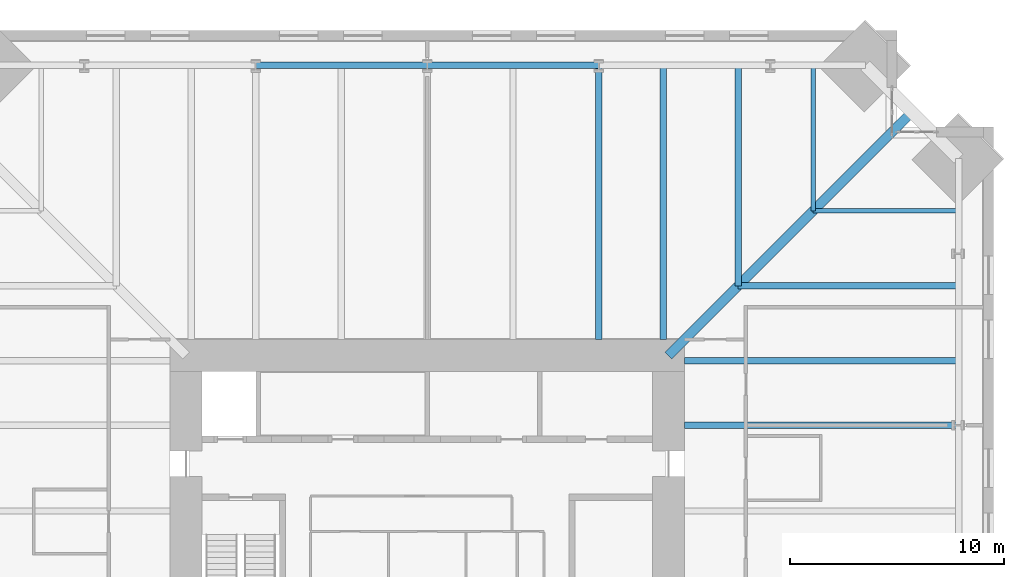
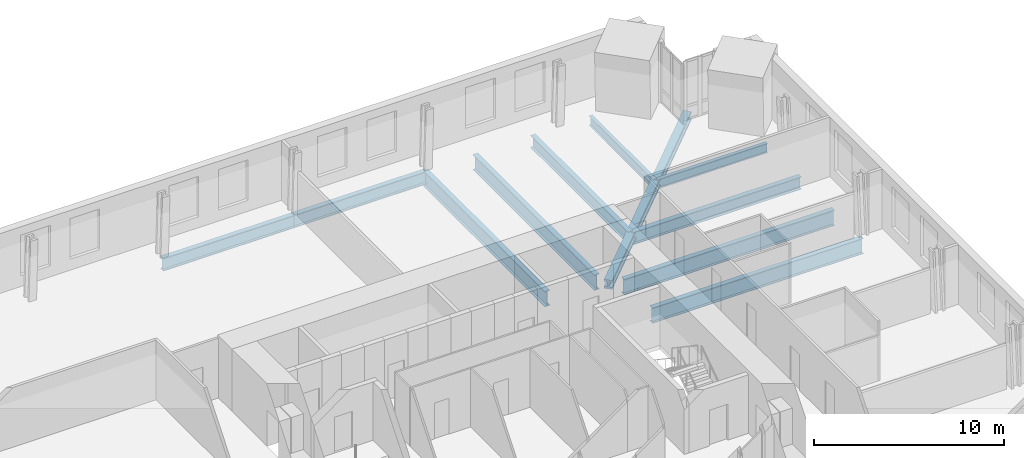
# One storey, part 9 of 18: 11 beams.
"""IFC4 building model written with IfcOpenShell, lengths in metres."""

import ifcopenshell
import ifcopenshell.guid

model = None  # the IFC model being written
_history = None  # IfcOwnerHistory: only IFC2X3 demands one
_inside = {}  # id of a spatial element -> (the spatial element, [elements in it])
_under = {}  # id of a project, library or spatial element -> (it, [spatial elements below it])
_declared = {}  # id of a project -> (the project, [libraries it declares])
_typed = {}  # id of a type object -> (the type object, [elements of that type])
_made_of = {}  # id of a material, layer set ... -> (it, [elements and type objects made of it])


def new_model(schema):
    """Start an empty IFC model of exactly this schema.

    Asked for "IFC4X3", IfcOpenShell would pick the latest addendum, in which some entities
    have other attributes; the version numbers below select the first issue.
    IFC2X3 requires an IfcOwnerHistory on every rooted entity: one is made here for all.
    """
    global model, _history
    if schema == "IFC4X3":
        model = ifcopenshell.file(schema_version=(4, 3, 0, 0))
    else:
        model = ifcopenshell.file(schema=schema)
    _inside.clear()
    _under.clear()
    _declared.clear()
    _typed.clear()
    _made_of.clear()
    _history = None
    if model.schema == "IFC2X3":
        org = make("IfcOrganization", Name="unknown")
        user = make(
            "IfcPersonAndOrganization",
            ThePerson=make("IfcPerson", FamilyName="unknown"),
            TheOrganization=org,
        )
        app = make(
            "IfcApplication",
            ApplicationDeveloper=org,
            Version="unknown",
            ApplicationFullName="unknown",
            ApplicationIdentifier="unknown",
        )
        _history = make(
            "IfcOwnerHistory",
            OwningUser=user,
            OwningApplication=app,
            ChangeAction="ADDED",
            CreationDate=0,
        )
    return model


def make(cls, **values):
    """One entity of the class cls with the attributes given. An attribute that is None is left unset."""
    return model.create_entity(
        cls, **{name: value for name, value in values.items() if value is not None}
    )


def rooted(cls, **values):
    """An entity with a GlobalId (a new one), such as an element, a storey or a relation."""
    return make(cls, GlobalId=ifcopenshell.guid.new(), OwnerHistory=_history, **values)


def si_unit(unit_type, name, prefix=None):
    """IfcSIUnit, for example si_unit("LENGTHUNIT", "METRE", prefix="MILLI")."""
    return make("IfcSIUnit", UnitType=unit_type, Prefix=prefix, Name=name)


def assignment(units):
    """IfcUnitAssignment: the units of a project."""
    return None if units is None else make("IfcUnitAssignment", Units=units)


def point(xyz):
    """IfcCartesianPoint."""
    return None if xyz is None else make("IfcCartesianPoint", Coordinates=xyz)


def direction(xyz):
    """IfcDirection."""
    return None if xyz is None else make("IfcDirection", DirectionRatios=xyz)


def frame(location, z_axis=None, x_axis=None):
    """IfcAxis2Placement3D, a coordinate frame: its origin and axes. An axis left out is left unset."""
    return make(
        "IfcAxis2Placement3D",
        Location=point(location),
        Axis=direction(z_axis),
        RefDirection=direction(x_axis),
    )


def frame_2d(location, x_axis=None):
    """IfcAxis2Placement2D, a coordinate frame in the plane: its origin and x axis."""
    return make(
        "IfcAxis2Placement2D", Location=point(location), RefDirection=direction(x_axis)
    )


def origin():
    """The frame at (0, 0, 0) with its axes left unset."""
    return frame((0.0, 0.0, 0.0))


def origin_2d():
    """The frame at (0, 0) in the plane with its x axis left unset."""
    return frame_2d((0.0, 0.0))


def place(relative_to, where):
    """IfcLocalPlacement: puts the frame where relative to a parent placement (None: the world)."""
    return make(
        "IfcLocalPlacement", PlacementRelTo=relative_to, RelativePlacement=where
    )


def context(
    kind, dimensions, precision=None, world=None, true_north=None, identifier=None
):
    """IfcGeometricRepresentationContext, for example the 3D "Model" context."""
    return make(
        "IfcGeometricRepresentationContext",
        ContextIdentifier=identifier,
        ContextType=kind,
        CoordinateSpaceDimension=dimensions,
        Precision=precision,
        WorldCoordinateSystem=world,
        TrueNorth=true_north,
    )


def subcontext(parent, identifier, kind, view, scale=None):
    """IfcGeometricRepresentationSubContext, for example "Body" below "Model"."""
    return make(
        "IfcGeometricRepresentationSubContext",
        ContextIdentifier=identifier,
        ContextType=kind,
        ParentContext=parent,
        TargetScale=scale,
        TargetView=view,
    )


def project(units=None, contexts=None):
    """IfcProject with its units and contexts."""
    return rooted(
        "IfcProject",
        Name="project",
        RepresentationContexts=contexts,
        UnitsInContext=assignment(units),
    )


def spatial(cls, under=None, at=None, **own):
    """A site, building, storey or space (cls), placed at a placement, below another one or the project."""
    s = rooted(cls, ObjectPlacement=at, **own)
    if under is not None:
        _under.setdefault(under.id(), (under, []))[1].append(s)
    return s


def profile(cls, at=None, kind="AREA", **sizes):
    """A parametric profile (cls). Its sizes go by their IFC names, for example OverallWidth=200.0."""
    return make(cls, ProfileType=kind, Position=at, **sizes)


def i_section(**sizes):
    """IfcIShapeProfileDef."""
    return profile("IfcIShapeProfileDef", **sizes)


def extrude(swept, where, along, depth):
    """IfcExtrudedAreaSolid: the profile swept, set in the frame where, extruded along a direction by depth."""
    return make(
        "IfcExtrudedAreaSolid",
        SweptArea=swept,
        Position=where,
        ExtrudedDirection=direction(along),
        Depth=depth,
    )


def shape(context_of_items, identifier, shape_type, items):
    """IfcShapeRepresentation: the items that make up one representation, for example the "Body"."""
    return make(
        "IfcShapeRepresentation",
        ContextOfItems=context_of_items,
        RepresentationIdentifier=identifier,
        RepresentationType=shape_type,
        Items=items,
    )


def material(Name=None, Category=None):
    """IfcMaterial."""
    return make("IfcMaterial", Name=Name, Category=Category)


def material_profile(
    of_material, cross_section, Name=None, Category=None, Priority=None
):
    """IfcMaterialProfile: a cross section and its material."""
    return make(
        "IfcMaterialProfile",
        Name=Name,
        Material=of_material,
        Profile=cross_section,
        Priority=Priority,
        Category=Category,
    )


def profile_set(profiles, Name=None, composite=None):
    """IfcMaterialProfileSet."""
    return make(
        "IfcMaterialProfileSet",
        Name=Name,
        MaterialProfiles=profiles,
        CompositeProfile=composite,
    )


def made_of(thing, what):
    """Note that an element or type object is made of a material, layer set ...; save() writes the relation."""
    if what is not None:
        _made_of.setdefault(what.id(), (what, []))[1].append(thing)
    return thing


def type_object(cls, material=None, **own):
    """A type object (cls), such as IfcWallType, which elements share."""
    return made_of(rooted(cls, **own), material)


def element(
    cls,
    number,
    at=None,
    inside=None,
    cuts=None,
    type_object=None,
    material=None,
    context=None,
    identifier="Body",
    shape_type=None,
    held_by="IfcProductDefinitionShape",
    body=None,
    shapes=None,
    **own,
):
    """One element of the class cls, such as IfcWall. Its Tag is "e" and its number.

    at: its placement. inside: the storey or other place that contains it. cuts: it is an
    opening in that element (IfcRelVoidsElement). A single representation is given by context,
    identifier, shape_type and body (its items); several are given by shapes. held_by: the class
    of the entity that holds the representations. save() writes the other relations.
    """
    e = rooted(cls, Tag="e%d" % number, ObjectPlacement=at, **own)
    if body is not None:
        shapes = [shape(context, identifier, shape_type, body)]
    if shapes is not None:
        e.Representation = make(held_by, Representations=shapes)
    if inside is not None:
        _inside.setdefault(inside.id(), (inside, []))[1].append(e)
    if cuts is not None:
        rooted(
            "IfcRelVoidsElement", RelatingBuildingElement=cuts, RelatedOpeningElement=e
        )
    if type_object is not None:
        _typed.setdefault(type_object.id(), (type_object, []))[1].append(e)
    return made_of(e, material)


def aggregate(whole, parts):
    """IfcRelAggregates: a whole, such as a stair, and the parts it consists of."""
    return rooted("IfcRelAggregates", RelatingObject=whole, RelatedObjects=parts)


def save(model, path):
    """Write the relations noted so far, then the file.

    IfcRelAggregates (storeys below a building ...), IfcRelContainedInSpatialStructure (elements
    in a storey), IfcRelDefinesByType, IfcRelAssociatesMaterial and IfcRelDeclares: one each for
    every whole, place, type object, material and project.
    """
    for whole, parts in _under.values():
        aggregate(whole, parts)
    for where, things in _inside.values():
        rooted(
            "IfcRelContainedInSpatialStructure",
            RelatedElements=things,
            RelatingStructure=where,
        )
    for kind, things in _typed.values():
        rooted("IfcRelDefinesByType", RelatedObjects=things, RelatingType=kind)
    for what, things in _made_of.values():
        rooted("IfcRelAssociatesMaterial", RelatedObjects=things, RelatingMaterial=what)
    for by, libraries in _declared.values():
        rooted("IfcRelDeclares", RelatingContext=by, RelatedDefinitions=libraries)
    model.write(path)


model = new_model("IFC4")

# Units and contexts
model_context = context("Model", 3, precision=1e-05, world=origin(), true_north=direction((0.0, 1.0)))
body_context = subcontext(model_context, "Body", "Model", "MODEL_VIEW")
ifc_project = project(units=[si_unit("LENGTHUNIT", "METRE"), si_unit("AREAUNIT", "SQUARE_METRE"), si_unit("VOLUMEUNIT", "CUBIC_METRE"), si_unit("PLANEANGLEUNIT", "RADIAN"), si_unit("MASSUNIT", "GRAM", prefix="KILO")], contexts=[model_context])

# Site, building, storey
site_placement = place(None, origin())
site = spatial("IfcSite", under=ifc_project, at=site_placement, CompositionType="ELEMENT")
building_placement = place(site_placement, origin())
building = spatial("IfcBuilding", under=site, at=building_placement, Name="Peilmerk Tower", CompositionType="ELEMENT")
storey_placement = place(building_placement, frame((0.0, 0.0, 151.800048828125)))
storey = spatial("IfcBuildingStorey", under=building, at=storey_placement, Name="L31", CompositionType="ELEMENT", Elevation=151.800048828125)

# Beams
ifc_material_1 = material(Name="Steel S355", Category="steel")
ifc_material_profile_1 = material_profile(ifc_material_1, i_section(OverallWidth=0.219970703125, OverallDepth=0.60009765625, WebThickness=0.011962890625, FlangeThickness=0.01904296875, at=origin_2d()), Name="IPE 600")
ifc_profile_set_1 = profile_set([ifc_material_profile_1], Name="Steel S355")
beam_type_1 = type_object("IfcBeamType", Name="B10 IPE 600 floor beam", PredefinedType="BEAM", material=ifc_profile_set_1)
for number, where, z_axis, x_axis, name in (
    (1, (18.0, 18.0, -0.469970703125), (0.0, 1.0, 0.0), (-1.0, 0.0, 0.0), "Floor beam L31"),
    (2, (18.0, 18.0, -0.469970703125), (1.0, 0.0, 0.0), (0.0, 1.0, 0.0), "Floor beam L31"),
):
    element("IfcBeam", number, at=place(storey_placement, frame(where, z_axis=z_axis, x_axis=x_axis)), inside=storey, type_object=beam_type_1, Name=name, PredefinedType="BEAM", context=body_context, shape_type="SweptSolid", body=[
        extrude(i_section(OverallWidth=0.219970703125, OverallDepth=0.60009765625, WebThickness=0.011962890625, FlangeThickness=0.01904296875, at=origin_2d()), origin(), (0.0, 0.0, 1.0), 6.77587890625),
    ])
ifc_material_profile_2 = material_profile(ifc_material_1, i_section(OverallWidth=0.300048828125, OverallDepth=0.989990234375, WebThickness=0.0166015625, FlangeThickness=0.031005859375, at=origin_2d()), Name="HEA 1000")
ifc_profile_set_2 = profile_set([ifc_material_profile_2], Name="Steel S355")
beam_type_2 = type_object("IfcBeamType", Name="B14 HEA 1000 floor girder", PredefinedType="BEAM", material=ifc_profile_set_2)
for number, where, z_axis, x_axis, name in (
    (3, (11.0, 12.0, -0.6650390625), (0.0, 1.0, 0.0), (-1.0, 0.0, 0.0), "Floor beam L31"),
    (4, (8.0, 12.0, -0.6650390625), (0.0, 1.0, 0.0), (-1.0, 0.0, 0.0), "Floor beam L31"),
    (5, (12.0, 8.0, -0.6650390625), (1.0, 0.0, 0.0), (0.0, 1.0, 0.0), "Floor beam L31"),
    (6, (12.0, 11.0, -0.6650390625), (1.0, 0.0, 0.0), (0.0, 1.0, 0.0), "Floor beam L31"),
):
    element("IfcBeam", number, at=place(storey_placement, frame(where, z_axis=z_axis, x_axis=x_axis)), inside=storey, type_object=beam_type_2, Name=name, PredefinedType="BEAM", context=body_context, shape_type="SweptSolid", body=[
        extrude(i_section(OverallWidth=0.300048828125, OverallDepth=0.989990234375, WebThickness=0.0166015625, FlangeThickness=0.031005859375, at=origin_2d()), origin(), (0.0, 0.0, 1.0), 12.77587890625),
    ])
ifc_material_profile_3 = material_profile(ifc_material_1, i_section(OverallWidth=0.302978515625, OverallDepth=0.81396484375, WebThickness=0.02099609375, FlangeThickness=0.0400390625, at=origin_2d()), Name="HEM 800")
ifc_profile_set_3 = profile_set([ifc_material_profile_3], Name="Steel S355")
beam_type_3 = type_object("IfcBeamType", Name="B15 HEM 800 edge beam", PredefinedType="SPANDREL", material=ifc_profile_set_3)
for number, where, z_axis, x_axis, name in (
    (7, (8.0, 24.77587890625, -0.5771484375), (-1.0, 0.0, 0.0), (0.0, -1.0, 0.0), "Edge beam L31"),
    (8, (0.0, 24.77587890625, -0.5771484375), (-1.0, 0.0, 0.0), (0.0, -1.0, 0.0), "Edge beam L31"),
):
    element("IfcBeam", number, at=place(storey_placement, frame(where, z_axis=z_axis, x_axis=x_axis)), inside=storey, type_object=beam_type_3, Name=name, PredefinedType="SPANDREL", context=body_context, shape_type="SweptSolid", body=[
        extrude(i_section(OverallWidth=0.302978515625, OverallDepth=0.81396484375, WebThickness=0.02099609375, FlangeThickness=0.0400390625, at=origin_2d()), origin(), (0.0, 0.0, 1.0), 8.0),
    ])
ifc_material_profile_4 = material_profile(ifc_material_1, i_section(OverallWidth=0.300048828125, OverallDepth=0.7900390625, WebThickness=0.014892578125, FlangeThickness=0.028076171875, at=origin_2d()), Name="HEA 800")
ifc_profile_set_4 = profile_set([ifc_material_profile_4], Name="Steel S355")
beam_type_4 = type_object("IfcBeamType", Name="B3 HEA 800 floor beam", PredefinedType="BEAM", material=ifc_profile_set_4)
for number, where, z_axis, x_axis, name in (
    (9, (14.5, 14.5, -0.56494140625), (0.0, 1.0, 0.0), (-1.0, 0.0, 0.0), "Floor beam L31"),
    (10, (14.5, 14.5, -0.56494140625), (1.0, 0.0, 0.0), (0.0, 1.0, 0.0), "Floor beam L31"),
):
    element("IfcBeam", number, at=place(storey_placement, frame(where, z_axis=z_axis, x_axis=x_axis)), inside=storey, type_object=beam_type_4, Name=name, PredefinedType="BEAM", context=body_context, shape_type="SweptSolid", body=[
        extrude(i_section(OverallWidth=0.300048828125, OverallDepth=0.7900390625, WebThickness=0.014892578125, FlangeThickness=0.028076171875, at=origin_2d()), origin(), (0.0, 0.0, 1.0), 10.27587890625),
    ])
ifc_material_2 = material(Name="Steel S460", Category="steel")
ifc_material_profile_5 = material_profile(ifc_material_2, i_section(OverallWidth=0.4541015625, OverallDepth=0.569091796875, WebThickness=0.077880859375, FlangeThickness=0.125, at=origin_2d()), Name="HD 400x1086")
ifc_profile_set_5 = profile_set([ifc_material_profile_5], Name="Steel S460")
beam_type_5 = type_object("IfcBeamType", Name="B9 HD 400x1086 corner girder", PredefinedType="BEAM", material=ifc_profile_set_5)
beam_placement = place(storey_placement, frame((11.25, 11.25, -0.45458984375), z_axis=(0.707106781187, 0.707106781187, 0.0), x_axis=(-0.707106781187, 0.707106781187, 0.0)))
element("IfcBeam", 11, at=beam_placement, inside=storey, type_object=beam_type_5, Name="Corner girder L31", PredefinedType="BEAM", context=body_context, shape_type="SweptSolid", body=[
    extrude(i_section(OverallWidth=0.4541015625, OverallDepth=0.569091796875, WebThickness=0.077880859375, FlangeThickness=0.125, at=origin_2d()), origin(), (0.0, 0.0, 1.0), 16.052490234375),
])

save(model, "model.ifc")
